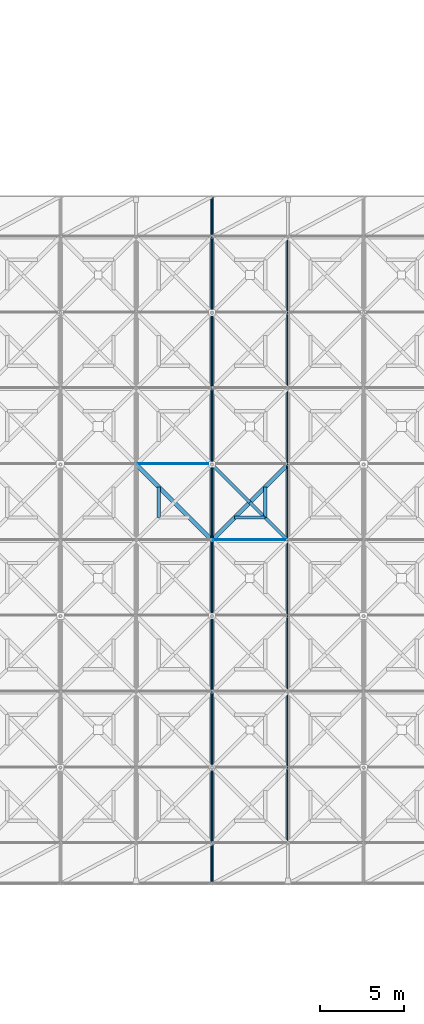
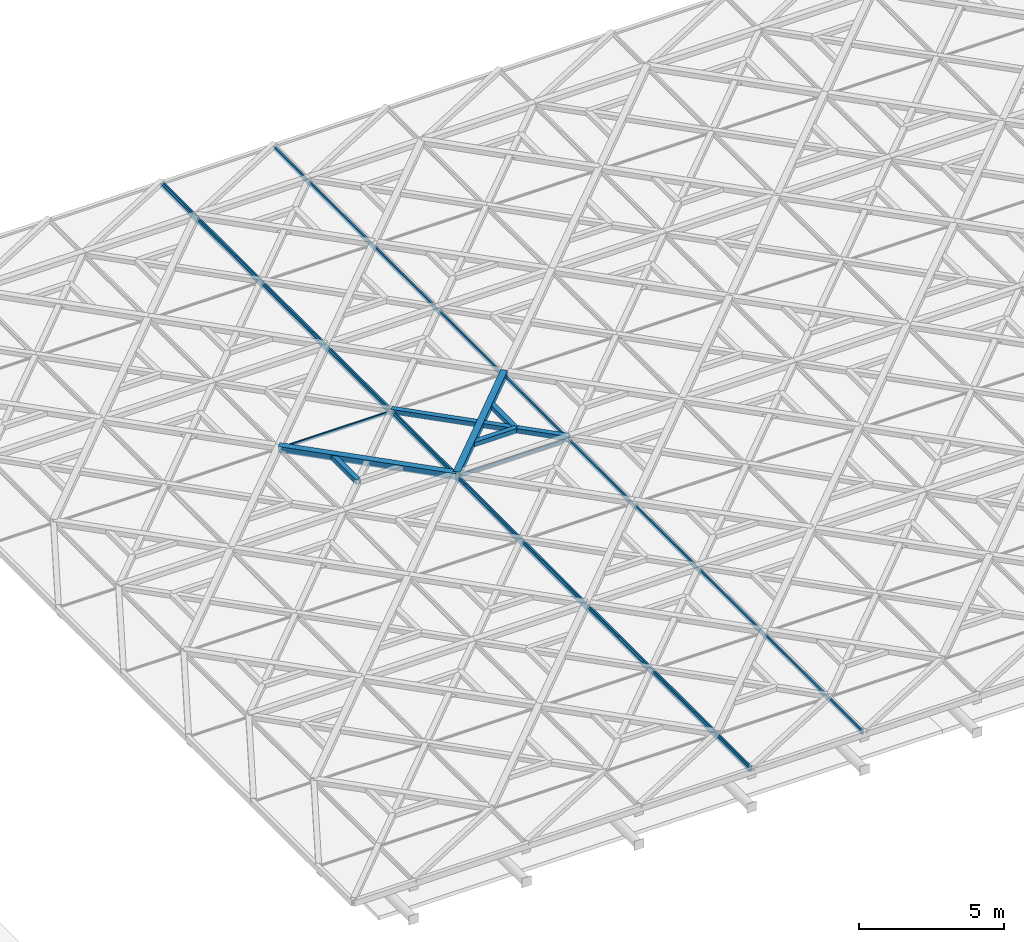
# One storey, part 28 of 80: 12 members, 2 elements without a shape of their own.
"""IFC4 building model written with IfcOpenShell, lengths in metres."""

import ifcopenshell
import ifcopenshell.guid

model = None  # the IFC model being written
_history = None  # IfcOwnerHistory: only IFC2X3 demands one
_inside = {}  # id of a spatial element -> (the spatial element, [elements in it])
_under = {}  # id of a project, library or spatial element -> (it, [spatial elements below it])
_declared = {}  # id of a project -> (the project, [libraries it declares])
_typed = {}  # id of a type object -> (the type object, [elements of that type])
_made_of = {}  # id of a material, layer set ... -> (it, [elements and type objects made of it])


def new_model(schema):
    """Start an empty IFC model of exactly this schema.

    Asked for "IFC4X3", IfcOpenShell would pick the latest addendum, in which some entities
    have other attributes; the version numbers below select the first issue.
    IFC2X3 requires an IfcOwnerHistory on every rooted entity: one is made here for all.
    """
    global model, _history
    if schema == "IFC4X3":
        model = ifcopenshell.file(schema_version=(4, 3, 0, 0))
    else:
        model = ifcopenshell.file(schema=schema)
    _inside.clear()
    _under.clear()
    _declared.clear()
    _typed.clear()
    _made_of.clear()
    _history = None
    if model.schema == "IFC2X3":
        org = make("IfcOrganization", Name="unknown")
        user = make(
            "IfcPersonAndOrganization",
            ThePerson=make("IfcPerson", FamilyName="unknown"),
            TheOrganization=org,
        )
        app = make(
            "IfcApplication",
            ApplicationDeveloper=org,
            Version="unknown",
            ApplicationFullName="unknown",
            ApplicationIdentifier="unknown",
        )
        _history = make(
            "IfcOwnerHistory",
            OwningUser=user,
            OwningApplication=app,
            ChangeAction="ADDED",
            CreationDate=0,
        )
    return model


def make(cls, **values):
    """One entity of the class cls with the attributes given. An attribute that is None is left unset."""
    return model.create_entity(
        cls, **{name: value for name, value in values.items() if value is not None}
    )


def rooted(cls, **values):
    """An entity with a GlobalId (a new one), such as an element, a storey or a relation."""
    return make(cls, GlobalId=ifcopenshell.guid.new(), OwnerHistory=_history, **values)


def si_unit(unit_type, name, prefix=None):
    """IfcSIUnit, for example si_unit("LENGTHUNIT", "METRE", prefix="MILLI")."""
    return make("IfcSIUnit", UnitType=unit_type, Prefix=prefix, Name=name)


def assignment(units):
    """IfcUnitAssignment: the units of a project."""
    return None if units is None else make("IfcUnitAssignment", Units=units)


def point(xyz):
    """IfcCartesianPoint."""
    return None if xyz is None else make("IfcCartesianPoint", Coordinates=xyz)


def direction(xyz):
    """IfcDirection."""
    return None if xyz is None else make("IfcDirection", DirectionRatios=xyz)


def frame(location, z_axis=None, x_axis=None):
    """IfcAxis2Placement3D, a coordinate frame: its origin and axes. An axis left out is left unset."""
    return make(
        "IfcAxis2Placement3D",
        Location=point(location),
        Axis=direction(z_axis),
        RefDirection=direction(x_axis),
    )


def frame_2d(location, x_axis=None):
    """IfcAxis2Placement2D, a coordinate frame in the plane: its origin and x axis."""
    return make(
        "IfcAxis2Placement2D", Location=point(location), RefDirection=direction(x_axis)
    )


def origin():
    """The frame at (0, 0, 0) with its axes left unset."""
    return frame((0.0, 0.0, 0.0))


def origin_2d():
    """The frame at (0, 0) in the plane with its x axis left unset."""
    return frame_2d((0.0, 0.0))


def place(relative_to, where):
    """IfcLocalPlacement: puts the frame where relative to a parent placement (None: the world)."""
    return make(
        "IfcLocalPlacement", PlacementRelTo=relative_to, RelativePlacement=where
    )


def context(
    kind, dimensions, precision=None, world=None, true_north=None, identifier=None
):
    """IfcGeometricRepresentationContext, for example the 3D "Model" context."""
    return make(
        "IfcGeometricRepresentationContext",
        ContextIdentifier=identifier,
        ContextType=kind,
        CoordinateSpaceDimension=dimensions,
        Precision=precision,
        WorldCoordinateSystem=world,
        TrueNorth=true_north,
    )


def subcontext(parent, identifier, kind, view, scale=None):
    """IfcGeometricRepresentationSubContext, for example "Body" below "Model"."""
    return make(
        "IfcGeometricRepresentationSubContext",
        ContextIdentifier=identifier,
        ContextType=kind,
        ParentContext=parent,
        TargetScale=scale,
        TargetView=view,
    )


def project(units=None, contexts=None):
    """IfcProject with its units and contexts."""
    return rooted(
        "IfcProject",
        Name="project",
        RepresentationContexts=contexts,
        UnitsInContext=assignment(units),
    )


def spatial(cls, under=None, at=None, **own):
    """A site, building, storey or space (cls), placed at a placement, below another one or the project."""
    s = rooted(cls, ObjectPlacement=at, **own)
    if under is not None:
        _under.setdefault(under.id(), (under, []))[1].append(s)
    return s


def profile(cls, at=None, kind="AREA", **sizes):
    """A parametric profile (cls). Its sizes go by their IFC names, for example OverallWidth=200.0."""
    return make(cls, ProfileType=kind, Position=at, **sizes)


def rectangle(**sizes):
    """IfcRectangleProfileDef."""
    return profile("IfcRectangleProfileDef", **sizes)


def hollow_rectangle(**sizes):
    """IfcRectangleHollowProfileDef."""
    return profile("IfcRectangleHollowProfileDef", **sizes)


def extrude(swept, where, along, depth):
    """IfcExtrudedAreaSolid: the profile swept, set in the frame where, extruded along a direction by depth."""
    return make(
        "IfcExtrudedAreaSolid",
        SweptArea=swept,
        Position=where,
        ExtrudedDirection=direction(along),
        Depth=depth,
    )


def shape(context_of_items, identifier, shape_type, items):
    """IfcShapeRepresentation: the items that make up one representation, for example the "Body"."""
    return make(
        "IfcShapeRepresentation",
        ContextOfItems=context_of_items,
        RepresentationIdentifier=identifier,
        RepresentationType=shape_type,
        Items=items,
    )


def material(Name=None, Category=None):
    """IfcMaterial."""
    return make("IfcMaterial", Name=Name, Category=Category)


def material_profile(
    of_material, cross_section, Name=None, Category=None, Priority=None
):
    """IfcMaterialProfile: a cross section and its material."""
    return make(
        "IfcMaterialProfile",
        Name=Name,
        Material=of_material,
        Profile=cross_section,
        Priority=Priority,
        Category=Category,
    )


def profile_set(profiles, Name=None, composite=None):
    """IfcMaterialProfileSet."""
    return make(
        "IfcMaterialProfileSet",
        Name=Name,
        MaterialProfiles=profiles,
        CompositeProfile=composite,
    )


def made_of(thing, what):
    """Note that an element or type object is made of a material, layer set ...; save() writes the relation."""
    if what is not None:
        _made_of.setdefault(what.id(), (what, []))[1].append(thing)
    return thing


def type_object(cls, material=None, **own):
    """A type object (cls), such as IfcWallType, which elements share."""
    return made_of(rooted(cls, **own), material)


def element(
    cls,
    number,
    at=None,
    inside=None,
    cuts=None,
    type_object=None,
    material=None,
    context=None,
    identifier="Body",
    shape_type=None,
    held_by="IfcProductDefinitionShape",
    body=None,
    shapes=None,
    **own,
):
    """One element of the class cls, such as IfcWall. Its Tag is "e" and its number.

    at: its placement. inside: the storey or other place that contains it. cuts: it is an
    opening in that element (IfcRelVoidsElement). A single representation is given by context,
    identifier, shape_type and body (its items); several are given by shapes. held_by: the class
    of the entity that holds the representations. save() writes the other relations.
    """
    e = rooted(cls, Tag="e%d" % number, ObjectPlacement=at, **own)
    if body is not None:
        shapes = [shape(context, identifier, shape_type, body)]
    if shapes is not None:
        e.Representation = make(held_by, Representations=shapes)
    if inside is not None:
        _inside.setdefault(inside.id(), (inside, []))[1].append(e)
    if cuts is not None:
        rooted(
            "IfcRelVoidsElement", RelatingBuildingElement=cuts, RelatedOpeningElement=e
        )
    if type_object is not None:
        _typed.setdefault(type_object.id(), (type_object, []))[1].append(e)
    return made_of(e, material)


def aggregate(whole, parts):
    """IfcRelAggregates: a whole, such as a stair, and the parts it consists of."""
    return rooted("IfcRelAggregates", RelatingObject=whole, RelatedObjects=parts)


def save(model, path):
    """Write the relations noted so far, then the file.

    IfcRelAggregates (storeys below a building ...), IfcRelContainedInSpatialStructure (elements
    in a storey), IfcRelDefinesByType, IfcRelAssociatesMaterial and IfcRelDeclares: one each for
    every whole, place, type object, material and project.
    """
    for whole, parts in _under.values():
        aggregate(whole, parts)
    for where, things in _inside.values():
        rooted(
            "IfcRelContainedInSpatialStructure",
            RelatedElements=things,
            RelatingStructure=where,
        )
    for kind, things in _typed.values():
        rooted("IfcRelDefinesByType", RelatedObjects=things, RelatingType=kind)
    for what, things in _made_of.values():
        rooted("IfcRelAssociatesMaterial", RelatedObjects=things, RelatingMaterial=what)
    for by, libraries in _declared.values():
        rooted("IfcRelDeclares", RelatingContext=by, RelatedDefinitions=libraries)
    model.write(path)


model = new_model("IFC4")

# Units and contexts
model_context = context("Model", 3, precision=1e-05, world=origin(), true_north=direction((0.0, 1.0)))
body_context = subcontext(model_context, "Body", "Model", "MODEL_VIEW")
ifc_project = project(units=[si_unit("LENGTHUNIT", "METRE"), si_unit("AREAUNIT", "SQUARE_METRE"), si_unit("VOLUMEUNIT", "CUBIC_METRE"), si_unit("PLANEANGLEUNIT", "RADIAN"), si_unit("MASSUNIT", "GRAM", prefix="KILO"), si_unit("THERMODYNAMICTEMPERATUREUNIT", "KELVIN"), si_unit("POWERUNIT", "WATT")], contexts=[model_context])

# Site, building, storey
site_placement = place(None, origin())
site = spatial("IfcSite", under=ifc_project, at=site_placement, CompositionType="ELEMENT")
building_placement = place(site_placement, origin())
building = spatial("IfcBuilding", under=site, at=building_placement, Name="Tallowbark Science Centre", CompositionType="ELEMENT")
storey_placement = place(building_placement, frame((0.0, 0.0, 25.949951171875)))
storey = spatial("IfcBuildingStorey", under=building, at=storey_placement, Name="ROOF", CompositionType="ELEMENT", Elevation=25.949951171875)

# Curtain wall, member
ifc_material_1 = material(Name="Blue-Tinted Laminated Low-E Skylight Glass", Category="glass")
curtain_wall_type = type_object("IfcCurtainWallType", Name="CW-SKY-ROOF", PredefinedType="NOTDEFINED", material=ifc_material_1)
curtain_wall_1_placement = place(storey_placement, origin())
curtain_wall_1 = element("IfcCurtainWall", 1, at=curtain_wall_1_placement, inside=storey, type_object=curtain_wall_type, Name="Exhibition Star-Screen Skylight Bay 4", PredefinedType="NOTDEFINED")
ifc_material_2 = material(Name="Anodised Architectural Aluminium Alloy 6063-T6", Category="aluminium")
ifc_material_profile_1 = material_profile(ifc_material_2, rectangle(XDim=0.06494140625, YDim=0.179931640625, at=origin_2d()), Name="ALU65x180")
ifc_profile_set_1 = profile_set([ifc_material_profile_1], Name="Anodised Architectural Aluminium Alloy 6063-T6")
member_type_1 = type_object("IfcMemberType", Name="CWM-SKY-MUL", PredefinedType="MULLION", material=ifc_profile_set_1)
member_1_placement = place(storey_placement, frame((71.9599609375, 2.14990234375, 0.35205078125), z_axis=(0.0, 1.0, 0.0), x_axis=(-1.0, 0.0, 0.0)))
member_1 = element("IfcMember", 2, at=member_1_placement, type_object=member_type_1, Name="Skylight Bay 4 Mullion E", PredefinedType="MULLION", context=body_context, shape_type="SweptSolid", body=[
    extrude(rectangle(XDim=0.06494140625, YDim=0.179931640625, at=origin_2d()), origin(), (0.0, 0.0, 1.0), 40.7001953125),
])

# Curtain wall, members
curtain_wall_2_placement = place(storey_placement, origin())
curtain_wall_2 = element("IfcCurtainWall", 3, at=curtain_wall_2_placement, inside=storey, type_object=curtain_wall_type, Name="Exhibition Star-Screen Skylight Bay 5", PredefinedType="NOTDEFINED")
member_2_placement = place(storey_placement, frame((72.0400390625, 2.14990234375, 0.35205078125), z_axis=(0.0, 1.0, 0.0), x_axis=(-1.0, 0.0, 0.0)))
member_2 = element("IfcMember", 4, at=member_2_placement, type_object=member_type_1, Name="Skylight Bay 5 Mullion W", PredefinedType="MULLION", context=body_context, shape_type="SweptSolid", body=[
    extrude(rectangle(XDim=0.06494140625, YDim=0.179931640625, at=origin_2d()), origin(), (0.0, 0.0, 1.0), 40.7001953125),
])
member_3_placement = place(storey_placement, frame((76.4599609375, 2.14990234375, 0.35205078125), z_axis=(0.0, 1.0, 0.0), x_axis=(-1.0, 0.0, 0.0)))
member_3 = element("IfcMember", 5, at=member_3_placement, type_object=member_type_1, Name="Skylight Bay 5 Mullion E", PredefinedType="MULLION", context=body_context, shape_type="SweptSolid", body=[
    extrude(rectangle(XDim=0.06494140625, YDim=0.179931640625, at=origin_2d()), origin(), (0.0, 0.0, 1.0), 40.7001953125),
])

# Member
ifc_material_profile_2 = material_profile(ifc_material_2, rectangle(XDim=0.054931640625, YDim=0.1201171875, at=origin_2d()), Name="ALU55x120")
ifc_profile_set_2 = profile_set([ifc_material_profile_2], Name="Anodised Architectural Aluminium Alloy 6063-T6")
member_type_2 = type_object("IfcMemberType", Name="CWM-SKY-TRN", PredefinedType="USERDEFINED", material=ifc_profile_set_2)
member_4_placement = place(storey_placement, frame((67.580078125, 27.0400390625, 0.35205078125), z_axis=(1.0, 0.0, 0.0), x_axis=(0.0, 1.0, 0.0)))
member_4 = element("IfcMember", 6, at=member_4_placement, type_object=member_type_2, Name="Skylight Bay 4 Transom 7", ObjectType="TRANSOM", PredefinedType="USERDEFINED", context=body_context, shape_type="SweptSolid", body=[
    extrude(rectangle(XDim=0.054931640625, YDim=0.1201171875, at=origin_2d()), origin(), (0.0, 0.0, 1.0), 4.33984375),
])

aggregate(curtain_wall_1, [member_1, member_4])

member_5_placement = place(storey_placement, frame((72.080078125, 22.5400390625, 0.35205078125), z_axis=(1.0, 0.0, 0.0), x_axis=(0.0, 1.0, 0.0)))
member_5 = element("IfcMember", 7, at=member_5_placement, type_object=member_type_2, Name="Skylight Bay 5 Transom 6", ObjectType="TRANSOM", PredefinedType="USERDEFINED", context=body_context, shape_type="SweptSolid", body=[
    extrude(rectangle(XDim=0.054931640625, YDim=0.1201171875, at=origin_2d()), origin(), (0.0, 0.0, 1.0), 4.33984375),
])

aggregate(curtain_wall_2, [member_2, member_3, member_5])

# Members
ifc_material_3 = material(Name="White Architectural Painted Steel Grade C350L0 (350 MPa)", Category="steel")
ifc_material_profile_3 = material_profile(ifc_material_3, hollow_rectangle(XDim=0.25, YDim=0.25, WallThickness=0.009033203125, at=origin_2d()), Name="250x250x9.0SHS")
ifc_profile_set_3 = profile_set([ifc_material_profile_3], Name="White Architectural Painted Steel Grade C350L0 (350 MPa)")
member_type_3 = type_object("IfcMemberType", Name="SCR-CHD200", PredefinedType="CHORD", material=ifc_profile_set_3)
for number, where, z_axis, x_axis, name in (
    (8, (72.0, 22.5, 0.449951171875), (0.707106781187, 0.707106781187, 0.0), (-0.707106781187, 0.707106781187, 0.0), "Star Screen Octagram Diamond Chord TOP-60-1"),
    (9, (67.5, 27.0, 0.449951171875), (0.707106781187, -0.707106781187, 0.0), (0.707106781187, 0.707106781187, 0.0), "Star Screen Octagram Diamond Chord TOP-60-4"),
):
    element("IfcMember", number, at=place(storey_placement, frame(where, z_axis=z_axis, x_axis=x_axis)), inside=storey, type_object=member_type_3, Name=name, PredefinedType="CHORD", context=body_context, shape_type="SweptSolid", body=[
        extrude(hollow_rectangle(XDim=0.25, YDim=0.25, WallThickness=0.009033203125, at=origin_2d()), origin(), (0.0, 0.0, 1.0), 6.364013671875),
    ])
ifc_material_profile_4 = material_profile(ifc_material_3, hollow_rectangle(XDim=0.199951171875, YDim=0.199951171875, WallThickness=0.009033203125, at=origin_2d()), Name="200x200x9.0SHS")
ifc_profile_set_4 = profile_set([ifc_material_profile_4], Name="White Architectural Painted Steel Grade C350L0 (350 MPa)")
member_type_4 = type_object("IfcMemberType", Name="SCR-STAR139", PredefinedType="BRACE", material=ifc_profile_set_4)
for number, where, z_axis, x_axis, name in (
    (10, (72.0, 27.0, 0.449951171875), (0.707106781187, -0.707106781187, 0.0), (0.707106781187, 0.707106781187, 0.0), "Star Screen Split X-Diagonal D2C TOP-60"),
    (11, (74.25, 24.75, 0.449951171875), (0.707106781187, -0.707106781187, 0.0), (0.707106781187, 0.707106781187, 0.0), "Star Screen Split X-Diagonal D2D TOP-60"),
):
    element("IfcMember", number, at=place(storey_placement, frame(where, z_axis=z_axis, x_axis=x_axis)), inside=storey, type_object=member_type_4, Name=name, PredefinedType="BRACE", context=body_context, shape_type="SweptSolid", body=[
        extrude(hollow_rectangle(XDim=0.199951171875, YDim=0.199951171875, WallThickness=0.009033203125, at=origin_2d()), origin(), (0.0, 0.0, 1.0), 3.181884765625),
    ])
ifc_material_profile_5 = material_profile(ifc_material_3, hollow_rectangle(XDim=0.199951171875, YDim=0.199951171875, WallThickness=0.009033203125, at=origin_2d()), Name="200x200x9.0SHS")
ifc_profile_set_5 = profile_set([ifc_material_profile_5], Name="White Architectural Painted Steel Grade C350L0 (350 MPa)")
member_type_5 = type_object("IfcMemberType", Name="SCR-SUB150", PredefinedType="BRACE", material=ifc_profile_set_5)
for number, where, z_axis, x_axis, name in (
    (12, (68.85009765625, 23.85009765625, 0.449951171875), (0.0, 1.0, 0.0), (-1.0, 0.0, 0.0), "Star Screen Octagram Point Ray TOP-60-2"),
    (13, (75.14990234375, 23.85009765625, 0.449951171875), (-1.0, 0.0, 0.0), (0.0, -1.0, 0.0), "Star Screen Octagram Point Ray TOP-60-3"),
    (14, (75.14990234375, 23.85009765625, 0.449951171875), (0.0, 1.0, 0.0), (-1.0, 0.0, 0.0), "Star Screen Octagram Point Ray TOP-60-4"),
):
    element("IfcMember", number, at=place(storey_placement, frame(where, z_axis=z_axis, x_axis=x_axis)), inside=storey, type_object=member_type_5, Name=name, PredefinedType="BRACE", context=body_context, shape_type="SweptSolid", body=[
        extrude(hollow_rectangle(XDim=0.199951171875, YDim=0.199951171875, WallThickness=0.009033203125, at=origin_2d()), origin(), (0.0, 0.0, 1.0), 1.7998046875),
    ])

save(model, "model.ifc")
